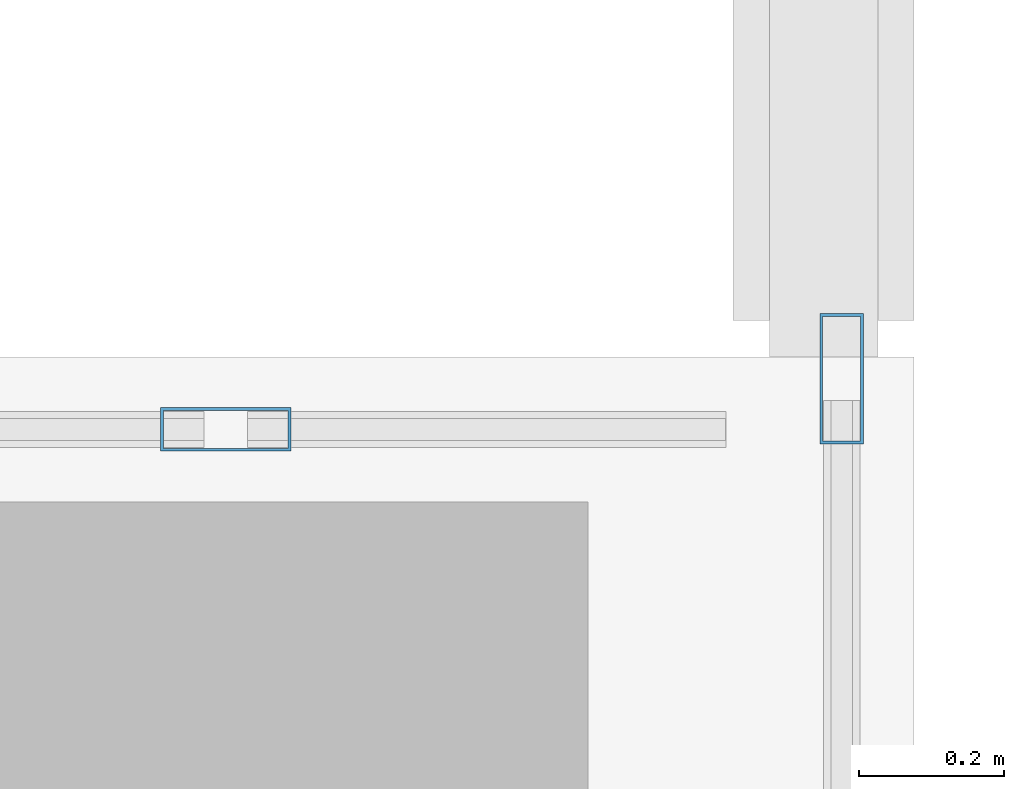
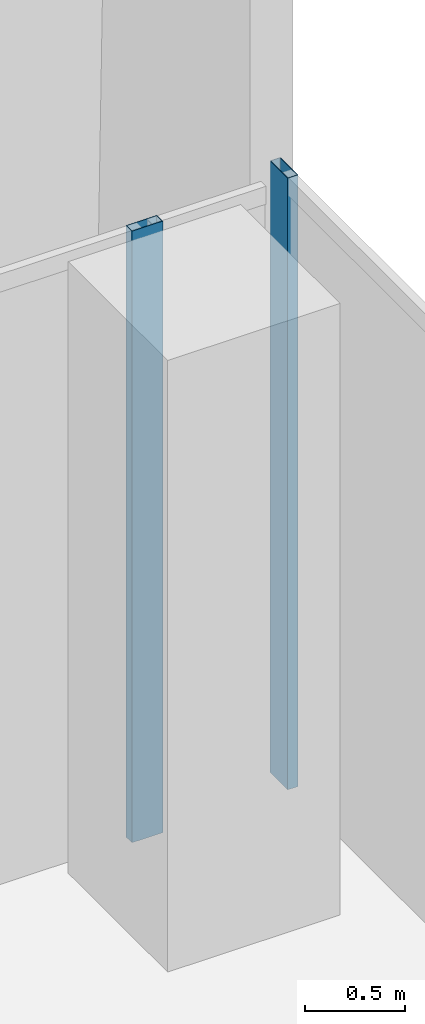
# One storey, part 21 of 35: 2 members, 2 elements without a shape of their own.
"""IFC4 building model written with IfcOpenShell, lengths in metres."""

from ifc_helpers import new_model, si_unit, direction, frame, origin, origin_2d, place, context, subcontext, project, spatial, hollow_rectangle, extrude, source, transform, mapped, material, material_profile, profile_set, type_object, element, aggregate, save


model = new_model("IFC4")

# Units and contexts
model_context = context("Model", 3, precision=1e-05, world=origin(), true_north=direction((0.0, 1.0)))
body_context = subcontext(model_context, "Body", "Model", "MODEL_VIEW")
ifc_project = project(units=[si_unit("LENGTHUNIT", "METRE"), si_unit("AREAUNIT", "SQUARE_METRE"), si_unit("VOLUMEUNIT", "CUBIC_METRE"), si_unit("PLANEANGLEUNIT", "RADIAN"), si_unit("MASSUNIT", "GRAM", prefix="KILO")], contexts=[model_context])

# Site, building, storey
site_placement = place(None, origin())
site = spatial("IfcSite", under=ifc_project, at=site_placement, CompositionType="ELEMENT")
building_placement = place(site_placement, origin())
building = spatial("IfcBuilding", under=site, at=building_placement, Name="Khomas Fold Tower", CompositionType="ELEMENT")
storey_placement = place(building_placement, frame((0.0, 0.0, 200.699951171875)))
storey = spatial("IfcBuildingStorey", under=building, at=storey_placement, Name="L44", CompositionType="ELEMENT", Elevation=200.699951171875)

# Curtain wall, member
ifc_material_1 = material(Name="Aluminium framed double glazing", Category="aluminium")
curtain_wall_type = type_object("IfcCurtainWallType", Name="SK-Unitised clear-glass wall, office floors CW2", PredefinedType="NOTDEFINED", material=ifc_material_1)
curtain_wall_1_placement = place(storey_placement, origin())
curtain_wall_1 = element("IfcCurtainWall", 1, at=curtain_wall_1_placement, inside=storey, type_object=curtain_wall_type, Name="CW2 corner return L44 05", PredefinedType="NOTDEFINED")
ifc_material_2 = material(Name="Aluminium", Category="aluminium")
ifc_material_profile = material_profile(ifc_material_2, hollow_rectangle(XDim=0.06005859375, YDim=0.179931640625, WallThickness=0.00390625, at=origin_2d()), Name="SK-Unitised clear-glass wall, office floors mullion CW2-M")
ifc_profile_set = profile_set([ifc_material_profile], Name="Aluminium")
member_type = type_object("IfcMemberType", Name="SK-Unitised clear-glass wall, office floors mullion CW2-M", PredefinedType="MULLION", material=ifc_profile_set)
shared_shape = source(origin(), body_context, "Body", "SweptSolid", [
    extrude(hollow_rectangle(XDim=0.06005859375, YDim=0.179931640625, WallThickness=0.00390625, at=origin_2d()), origin(), (0.0, 0.0, 1.0), 3.75),
])
member_1_placement = place(storey_placement, frame((46.39990234375, 50.969970703125, 0.0), z_axis=(0.0, 0.0, 1.0), x_axis=(-1.0, 0.0, 0.0)))
member_1 = element("IfcMember", 2, at=member_1_placement, type_object=member_type, Name="CW2 mullion 2", PredefinedType="MULLION", context=body_context, shape_type="MappedRepresentation", body=[
    mapped(shared_shape, transform((0.0, 0.0, 0.0))),
])
aggregate(curtain_wall_1, [member_1])

curtain_wall_2_placement = place(storey_placement, origin())
curtain_wall_2 = element("IfcCurtainWall", 3, at=curtain_wall_2_placement, inside=storey, type_object=curtain_wall_type, Name="CW2 run L44 06-0", PredefinedType="NOTDEFINED")
member_2_placement = place(storey_placement, frame((45.550048828125, 50.89990234375, 0.0), z_axis=(0.0, 0.0, 1.0), x_axis=(0.0, -1.0, 0.0)))
member_2 = element("IfcMember", 4, at=member_2_placement, type_object=member_type, Name="CW2 mullion 2", PredefinedType="MULLION", context=body_context, shape_type="MappedRepresentation", body=[
    mapped(shared_shape, transform((0.0, 0.0, 0.0))),
])
aggregate(curtain_wall_2, [member_2])

save(model, "model.ifc")
